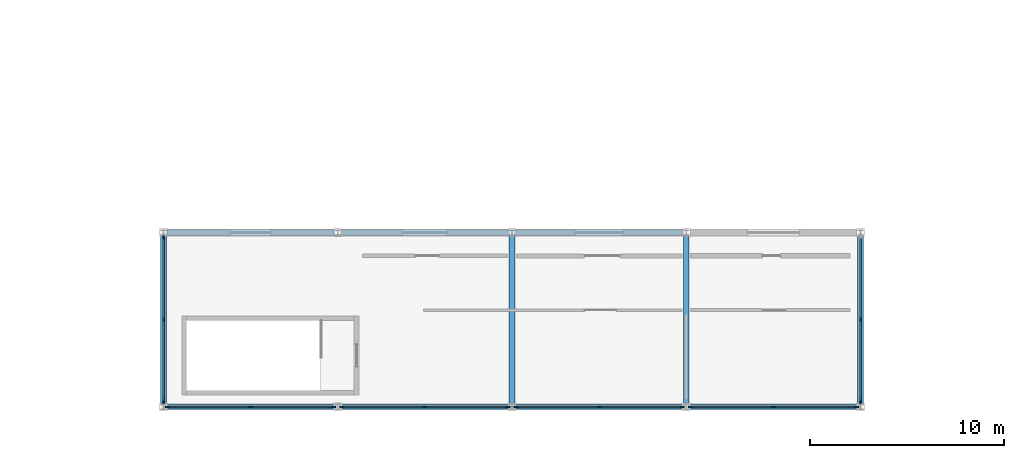
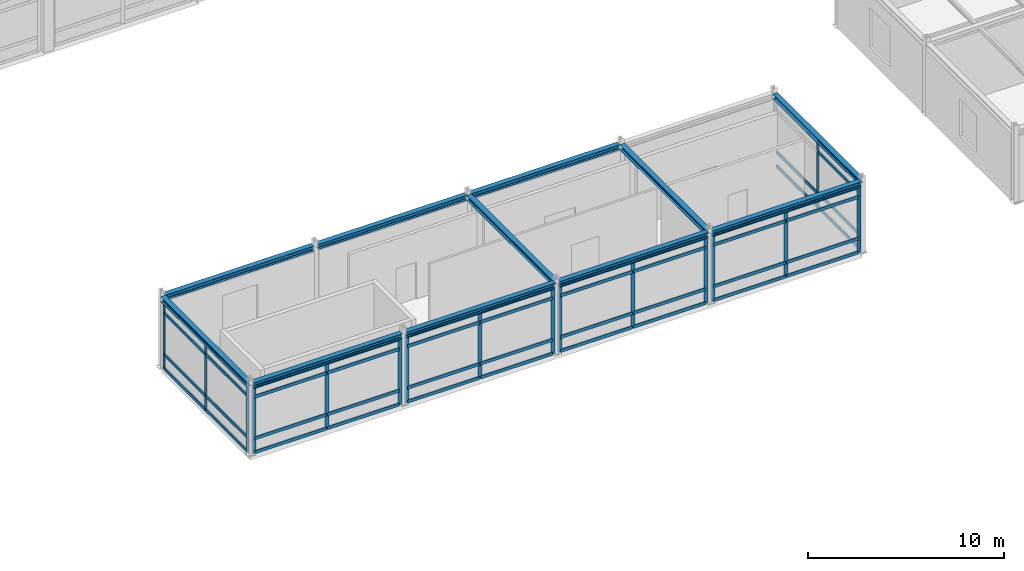
# One storey, part 16 of 61: 63 members, 11 beams, 6 elements without a shape of their own.
"""IFC4 building model written with IfcOpenShell, lengths in metres."""

from ifc_helpers import new_model, si_unit, direction, frame, origin, origin_2d, place, context, subcontext, project, spatial, rectangle, i_section, extrude, material, material_profile, profile_set, type_object, element, aggregate, save


model = new_model("IFC4")

# Units and contexts
model_context = context("Model", 3, precision=1e-05, world=origin(), true_north=direction((0.0, 1.0)))
body_context = subcontext(model_context, "Body", "Model", "MODEL_VIEW")
ifc_project = project(units=[si_unit("LENGTHUNIT", "METRE"), si_unit("AREAUNIT", "SQUARE_METRE"), si_unit("VOLUMEUNIT", "CUBIC_METRE"), si_unit("PLANEANGLEUNIT", "RADIAN"), si_unit("MASSUNIT", "GRAM", prefix="KILO")], contexts=[model_context])

# Site, building, storey
site_placement = place(None, origin())
site = spatial("IfcSite", under=ifc_project, at=site_placement, CompositionType="ELEMENT")
building_placement = place(site_placement, origin())
building = spatial("IfcBuilding", under=site, at=building_placement, Name="Bozkorgan Art Gallery", CompositionType="ELEMENT")
storey_placement = place(building_placement, frame((0.0, 0.0, 10.199951171875)))
storey = spatial("IfcBuildingStorey", under=building, at=storey_placement, Name="L02", CompositionType="ELEMENT", Elevation=10.199951171875)

# Beams
ifc_material_1 = material(Name="Steel S355J2", Category="steel")
ifc_material_profile_1 = material_profile(ifc_material_1, i_section(OverallWidth=0.300048828125, OverallDepth=0.31005859375, WebThickness=0.009033203125, FlangeThickness=0.015380859375, FilletRadius=0.027099609375, at=origin_2d()), Name="HEA 320")
ifc_profile_set_1 = profile_set([ifc_material_profile_1], Name="Steel S355J2")
beam_type = type_object("IfcBeamType", Name="BEAM-BM-36", PredefinedType="BEAM", material=ifc_profile_set_1)
for number, where, z_axis, x_axis, name in (
    (1, (83.1298828125, 2.0, 4.324951171875), (1.0, 0.0, 0.0), (0.0, 1.0, 0.0), "V3 L02 beam X (83-92, 2.0)"),
    (2, (92.1298828125, 2.0, 4.324951171875), (1.0, 0.0, 0.0), (0.0, 1.0, 0.0), "V3 L02 beam X (92-101, 2.0)"),
    (3, (101.1298828125, 2.0, 4.324951171875), (1.0, 0.0, 0.0), (0.0, 1.0, 0.0), "V3 L02 beam X (101-110, 2.0)"),
    (4, (110.1298828125, 2.0, 4.324951171875), (1.0, 0.0, 0.0), (0.0, 1.0, 0.0), "V3 L02 beam X (110-119, 2.0)"),
    (5, (83.1298828125, 11.0, 4.324951171875), (1.0, 0.0, 0.0), (0.0, 1.0, 0.0), "V3 L02 beam X (83-92, 11.0)"),
    (6, (92.1298828125, 11.0, 4.324951171875), (1.0, 0.0, 0.0), (0.0, 1.0, 0.0), "V3 L02 beam X (92-101, 11.0)"),
    (7, (101.1298828125, 11.0, 4.324951171875), (1.0, 0.0, 0.0), (0.0, 1.0, 0.0), "V3 L02 beam X (101-110, 11.0)"),
    (8, (83.0, 2.1298828125, 4.324951171875), (0.0, 1.0, 0.0), (-1.0, 0.0, 0.0), "V3 L02 beam Y (83, 2.0-11.0)"),
    (9, (101.0, 2.1298828125, 4.324951171875), (0.0, 1.0, 0.0), (-1.0, 0.0, 0.0), "V3 L02 beam Y (101, 2.0-11.0)"),
    (10, (110.0, 2.1298828125, 4.324951171875), (0.0, 1.0, 0.0), (-1.0, 0.0, 0.0), "V3 L02 beam Y (110, 2.0-11.0)"),
    (11, (119.0, 2.1298828125, 4.324951171875), (0.0, 1.0, 0.0), (-1.0, 0.0, 0.0), "V3 L02 beam Y (119, 2.0-11.0)"),
):
    element("IfcBeam", number, at=place(storey_placement, frame(where, z_axis=z_axis, x_axis=x_axis)), inside=storey, type_object=beam_type, Name=name, PredefinedType="BEAM", context=body_context, shape_type="SweptSolid", body=[
        extrude(i_section(OverallWidth=0.300048828125, OverallDepth=0.31005859375, WebThickness=0.009033203125, FlangeThickness=0.015380859375, FilletRadius=0.027099609375, at=origin_2d()), origin(), (0.0, 0.0, 1.0), 8.740234375),
    ])

# Curtain wall, members
ifc_material_2 = material(Name="Anodised Bronze Aluminium", Category="aluminium")
curtain_wall_type_1 = type_object("IfcCurtainWallType", Name="CW-CW-97", PredefinedType="NOTDEFINED", material=ifc_material_2)
curtain_wall_1_placement = place(storey_placement, origin())
curtain_wall_1 = element("IfcCurtainWall", 12, at=curtain_wall_1_placement, inside=storey, type_object=curtain_wall_type_1, Name="L02 unitised curtain wall CW-V3-L02-1S-01", PredefinedType="NOTDEFINED")
ifc_material_profile_2 = material_profile(ifc_material_2, rectangle(XDim=0.074951171875, YDim=0.219970703125, at=origin_2d()), Name="ALU MULLION 75x220")
ifc_profile_set_2 = profile_set([ifc_material_profile_2], Name="Anodised Bronze Aluminium")
member_type_1 = type_object("IfcMemberType", Name="CWM-02", PredefinedType="MULLION", material=ifc_profile_set_2)
member_1_placement = place(storey_placement, frame((83.202392578125, 2.0, 0.02001953125), z_axis=(0.0, 0.0, 1.0), x_axis=(0.0, 1.0, 0.0)))
member_1 = element("IfcMember", 13, at=member_1_placement, type_object=member_type_1, Name="CW-97 mullion 1", PredefinedType="MULLION", context=body_context, shape_type="SweptSolid", body=[
    extrude(rectangle(XDim=0.074951171875, YDim=0.219970703125, at=origin_2d()), origin(), (0.0, 0.0, 1.0), 4.135009765625),
])
member_2_placement = place(storey_placement, frame((87.5, 2.0, 0.02001953125), z_axis=(0.0, 0.0, 1.0), x_axis=(0.0, 1.0, 0.0)))
member_2 = element("IfcMember", 14, at=member_2_placement, type_object=member_type_1, Name="CW-97 mullion 2", PredefinedType="MULLION", context=body_context, shape_type="SweptSolid", body=[
    extrude(rectangle(XDim=0.074951171875, YDim=0.219970703125, at=origin_2d()), origin(), (0.0, 0.0, 1.0), 4.135009765625),
])
member_3_placement = place(storey_placement, frame((91.797607421875, 2.0, 0.02001953125), z_axis=(0.0, 0.0, 1.0), x_axis=(0.0, 1.0, 0.0)))
member_3 = element("IfcMember", 15, at=member_3_placement, type_object=member_type_1, Name="CW-97 mullion 3", PredefinedType="MULLION", context=body_context, shape_type="SweptSolid", body=[
    extrude(rectangle(XDim=0.074951171875, YDim=0.219970703125, at=origin_2d()), origin(), (0.0, 0.0, 1.0), 4.135009765625),
])

curtain_wall_2_placement = place(storey_placement, origin())
curtain_wall_2 = element("IfcCurtainWall", 16, at=curtain_wall_2_placement, inside=storey, type_object=curtain_wall_type_1, Name="L02 unitised curtain wall CW-V3-L02-1S-03", PredefinedType="NOTDEFINED")
member_4_placement = place(storey_placement, frame((92.202392578125, 2.0, 0.02001953125), z_axis=(0.0, 0.0, 1.0), x_axis=(0.0, 1.0, 0.0)))
member_4 = element("IfcMember", 17, at=member_4_placement, type_object=member_type_1, Name="CW-97 mullion 1", PredefinedType="MULLION", context=body_context, shape_type="SweptSolid", body=[
    extrude(rectangle(XDim=0.074951171875, YDim=0.219970703125, at=origin_2d()), origin(), (0.0, 0.0, 1.0), 4.135009765625),
])
member_5_placement = place(storey_placement, frame((96.5, 2.0, 0.02001953125), z_axis=(0.0, 0.0, 1.0), x_axis=(0.0, 1.0, 0.0)))
member_5 = element("IfcMember", 18, at=member_5_placement, type_object=member_type_1, Name="CW-97 mullion 2", PredefinedType="MULLION", context=body_context, shape_type="SweptSolid", body=[
    extrude(rectangle(XDim=0.074951171875, YDim=0.219970703125, at=origin_2d()), origin(), (0.0, 0.0, 1.0), 4.135009765625),
])
member_6_placement = place(storey_placement, frame((100.797607421875, 2.0, 0.02001953125), z_axis=(0.0, 0.0, 1.0), x_axis=(0.0, 1.0, 0.0)))
member_6 = element("IfcMember", 19, at=member_6_placement, type_object=member_type_1, Name="CW-97 mullion 3", PredefinedType="MULLION", context=body_context, shape_type="SweptSolid", body=[
    extrude(rectangle(XDim=0.074951171875, YDim=0.219970703125, at=origin_2d()), origin(), (0.0, 0.0, 1.0), 4.135009765625),
])

curtain_wall_3_placement = place(storey_placement, origin())
curtain_wall_3 = element("IfcCurtainWall", 20, at=curtain_wall_3_placement, inside=storey, type_object=curtain_wall_type_1, Name="L02 unitised curtain wall CW-V3-L02-1S-05", PredefinedType="NOTDEFINED")
member_7_placement = place(storey_placement, frame((101.202392578125, 2.0, 0.02001953125), z_axis=(0.0, 0.0, 1.0), x_axis=(0.0, 1.0, 0.0)))
member_7 = element("IfcMember", 21, at=member_7_placement, type_object=member_type_1, Name="CW-97 mullion 1", PredefinedType="MULLION", context=body_context, shape_type="SweptSolid", body=[
    extrude(rectangle(XDim=0.074951171875, YDim=0.219970703125, at=origin_2d()), origin(), (0.0, 0.0, 1.0), 4.135009765625),
])
member_8_placement = place(storey_placement, frame((105.5, 2.0, 0.02001953125), z_axis=(0.0, 0.0, 1.0), x_axis=(0.0, 1.0, 0.0)))
member_8 = element("IfcMember", 22, at=member_8_placement, type_object=member_type_1, Name="CW-97 mullion 2", PredefinedType="MULLION", context=body_context, shape_type="SweptSolid", body=[
    extrude(rectangle(XDim=0.074951171875, YDim=0.219970703125, at=origin_2d()), origin(), (0.0, 0.0, 1.0), 4.135009765625),
])
member_9_placement = place(storey_placement, frame((109.797607421875, 2.0, 0.02001953125), z_axis=(0.0, 0.0, 1.0), x_axis=(0.0, 1.0, 0.0)))
member_9 = element("IfcMember", 23, at=member_9_placement, type_object=member_type_1, Name="CW-97 mullion 3", PredefinedType="MULLION", context=body_context, shape_type="SweptSolid", body=[
    extrude(rectangle(XDim=0.074951171875, YDim=0.219970703125, at=origin_2d()), origin(), (0.0, 0.0, 1.0), 4.135009765625),
])

curtain_wall_4_placement = place(storey_placement, origin())
curtain_wall_4 = element("IfcCurtainWall", 24, at=curtain_wall_4_placement, inside=storey, type_object=curtain_wall_type_1, Name="L02 unitised curtain wall CW-V3-L02-1S-07", PredefinedType="NOTDEFINED")
member_10_placement = place(storey_placement, frame((110.202392578125, 2.0, 0.02001953125), z_axis=(0.0, 0.0, 1.0), x_axis=(0.0, 1.0, 0.0)))
member_10 = element("IfcMember", 25, at=member_10_placement, type_object=member_type_1, Name="CW-97 mullion 1", PredefinedType="MULLION", context=body_context, shape_type="SweptSolid", body=[
    extrude(rectangle(XDim=0.074951171875, YDim=0.219970703125, at=origin_2d()), origin(), (0.0, 0.0, 1.0), 4.135009765625),
])
member_11_placement = place(storey_placement, frame((114.5, 2.0, 0.02001953125), z_axis=(0.0, 0.0, 1.0), x_axis=(0.0, 1.0, 0.0)))
member_11 = element("IfcMember", 26, at=member_11_placement, type_object=member_type_1, Name="CW-97 mullion 2", PredefinedType="MULLION", context=body_context, shape_type="SweptSolid", body=[
    extrude(rectangle(XDim=0.074951171875, YDim=0.219970703125, at=origin_2d()), origin(), (0.0, 0.0, 1.0), 4.135009765625),
])
member_12_placement = place(storey_placement, frame((118.797607421875, 2.0, 0.02001953125), z_axis=(0.0, 0.0, 1.0), x_axis=(0.0, 1.0, 0.0)))
member_12 = element("IfcMember", 27, at=member_12_placement, type_object=member_type_1, Name="CW-97 mullion 3", PredefinedType="MULLION", context=body_context, shape_type="SweptSolid", body=[
    extrude(rectangle(XDim=0.074951171875, YDim=0.219970703125, at=origin_2d()), origin(), (0.0, 0.0, 1.0), 4.135009765625),
])

curtain_wall_type_2 = type_object("IfcCurtainWallType", Name="CW-CW-46", PredefinedType="NOTDEFINED", material=ifc_material_2)
curtain_wall_5_placement = place(storey_placement, origin())
curtain_wall_5 = element("IfcCurtainWall", 28, at=curtain_wall_5_placement, inside=storey, type_object=curtain_wall_type_2, Name="L02 unitised curtain wall CW-V3-L02-1W-09", PredefinedType="NOTDEFINED")
member_13_placement = place(storey_placement, frame((83.0, 2.2724609375, 0.02001953125), z_axis=(0.0, 0.0, 1.0), x_axis=(-1.0, 0.0, 0.0)))
member_13 = element("IfcMember", 29, at=member_13_placement, type_object=member_type_1, Name="CW-46 mullion 1", PredefinedType="MULLION", context=body_context, shape_type="SweptSolid", body=[
    extrude(rectangle(XDim=0.074951171875, YDim=0.219970703125, at=origin_2d()), origin(), (0.0, 0.0, 1.0), 4.135009765625),
])
member_14_placement = place(storey_placement, frame((83.0, 6.5, 0.02001953125), z_axis=(0.0, 0.0, 1.0), x_axis=(-1.0, 0.0, 0.0)))
member_14 = element("IfcMember", 30, at=member_14_placement, type_object=member_type_1, Name="CW-46 mullion 2", PredefinedType="MULLION", context=body_context, shape_type="SweptSolid", body=[
    extrude(rectangle(XDim=0.074951171875, YDim=0.219970703125, at=origin_2d()), origin(), (0.0, 0.0, 1.0), 4.135009765625),
])
member_15_placement = place(storey_placement, frame((83.0, 10.7275390625, 0.02001953125), z_axis=(0.0, 0.0, 1.0), x_axis=(-1.0, 0.0, 0.0)))
member_15 = element("IfcMember", 31, at=member_15_placement, type_object=member_type_1, Name="CW-46 mullion 3", PredefinedType="MULLION", context=body_context, shape_type="SweptSolid", body=[
    extrude(rectangle(XDim=0.074951171875, YDim=0.219970703125, at=origin_2d()), origin(), (0.0, 0.0, 1.0), 4.135009765625),
])

curtain_wall_6_placement = place(storey_placement, origin())
curtain_wall_6 = element("IfcCurtainWall", 32, at=curtain_wall_6_placement, inside=storey, type_object=curtain_wall_type_2, Name="L02 unitised curtain wall CW-V3-L02-1E-10", PredefinedType="NOTDEFINED")
member_16_placement = place(storey_placement, frame((119.0, 2.2724609375, 0.02001953125), z_axis=(0.0, 0.0, 1.0), x_axis=(-1.0, 0.0, 0.0)))
member_16 = element("IfcMember", 33, at=member_16_placement, type_object=member_type_1, Name="CW-46 mullion 1", PredefinedType="MULLION", context=body_context, shape_type="SweptSolid", body=[
    extrude(rectangle(XDim=0.074951171875, YDim=0.219970703125, at=origin_2d()), origin(), (0.0, 0.0, 1.0), 4.135009765625),
])
member_17_placement = place(storey_placement, frame((119.0, 6.5, 0.02001953125), z_axis=(0.0, 0.0, 1.0), x_axis=(-1.0, 0.0, 0.0)))
member_17 = element("IfcMember", 34, at=member_17_placement, type_object=member_type_1, Name="CW-46 mullion 2", PredefinedType="MULLION", context=body_context, shape_type="SweptSolid", body=[
    extrude(rectangle(XDim=0.074951171875, YDim=0.219970703125, at=origin_2d()), origin(), (0.0, 0.0, 1.0), 4.135009765625),
])

# Member
ifc_material_profile_3 = material_profile(ifc_material_2, rectangle(XDim=0.080078125, YDim=0.199951171875, at=origin_2d()), Name="ALU TRANSOM 80x200")
ifc_profile_set_3 = profile_set([ifc_material_profile_3], Name="Anodised Bronze Aluminium")
member_type_2 = type_object("IfcMemberType", Name="CWT-03", PredefinedType="USERDEFINED", material=ifc_profile_set_3)
member_18_placement = place(storey_placement, frame((83.239990234375, 2.0, 0.06005859375), z_axis=(1.0, 0.0, 0.0), x_axis=(0.0, 1.0, 0.0)))
member_18 = element("IfcMember", 35, at=member_18_placement, type_object=member_type_2, Name="CW-97 transom 1.1", ObjectType="TRANSOM", PredefinedType="USERDEFINED", context=body_context, shape_type="SweptSolid", body=[
    extrude(rectangle(XDim=0.080078125, YDim=0.199951171875, at=origin_2d()), origin(), (0.0, 0.0, 1.0), 4.222412109375),
])

member_19_placement = place(storey_placement, frame((83.239990234375, 2.0, 0.920166015625), z_axis=(1.0, 0.0, 0.0), x_axis=(0.0, 1.0, 0.0)))
member_19 = element("IfcMember", 36, at=member_19_placement, type_object=member_type_2, Name="CW-97 transom 1.2", ObjectType="TRANSOM", PredefinedType="USERDEFINED", context=body_context, shape_type="SweptSolid", body=[
    extrude(rectangle(XDim=0.080078125, YDim=0.199951171875, at=origin_2d()), origin(), (0.0, 0.0, 1.0), 4.222412109375),
])

member_20_placement = place(storey_placement, frame((83.239990234375, 2.0, 3.505126953125), z_axis=(1.0, 0.0, 0.0), x_axis=(0.0, 1.0, 0.0)))
member_20 = element("IfcMember", 37, at=member_20_placement, type_object=member_type_2, Name="CW-97 transom 1.3", ObjectType="TRANSOM", PredefinedType="USERDEFINED", context=body_context, shape_type="SweptSolid", body=[
    extrude(rectangle(XDim=0.080078125, YDim=0.199951171875, at=origin_2d()), origin(), (0.0, 0.0, 1.0), 4.222412109375),
])

member_21_placement = place(storey_placement, frame((83.239990234375, 2.0, 4.114990234375), z_axis=(1.0, 0.0, 0.0), x_axis=(0.0, 1.0, 0.0)))
member_21 = element("IfcMember", 38, at=member_21_placement, type_object=member_type_2, Name="CW-97 transom 1.4", ObjectType="TRANSOM", PredefinedType="USERDEFINED", context=body_context, shape_type="SweptSolid", body=[
    extrude(rectangle(XDim=0.080078125, YDim=0.199951171875, at=origin_2d()), origin(), (0.0, 0.0, 1.0), 4.222412109375),
])

member_22_placement = place(storey_placement, frame((87.53759765625, 2.0, 0.06005859375), z_axis=(1.0, 0.0, 0.0), x_axis=(0.0, 1.0, 0.0)))
member_22 = element("IfcMember", 39, at=member_22_placement, type_object=member_type_2, Name="CW-97 transom 2.1", ObjectType="TRANSOM", PredefinedType="USERDEFINED", context=body_context, shape_type="SweptSolid", body=[
    extrude(rectangle(XDim=0.080078125, YDim=0.199951171875, at=origin_2d()), origin(), (0.0, 0.0, 1.0), 4.222412109375),
])

member_23_placement = place(storey_placement, frame((87.53759765625, 2.0, 0.920166015625), z_axis=(1.0, 0.0, 0.0), x_axis=(0.0, 1.0, 0.0)))
member_23 = element("IfcMember", 40, at=member_23_placement, type_object=member_type_2, Name="CW-97 transom 2.2", ObjectType="TRANSOM", PredefinedType="USERDEFINED", context=body_context, shape_type="SweptSolid", body=[
    extrude(rectangle(XDim=0.080078125, YDim=0.199951171875, at=origin_2d()), origin(), (0.0, 0.0, 1.0), 4.222412109375),
])

member_24_placement = place(storey_placement, frame((87.53759765625, 2.0, 3.505126953125), z_axis=(1.0, 0.0, 0.0), x_axis=(0.0, 1.0, 0.0)))
member_24 = element("IfcMember", 41, at=member_24_placement, type_object=member_type_2, Name="CW-97 transom 2.3", ObjectType="TRANSOM", PredefinedType="USERDEFINED", context=body_context, shape_type="SweptSolid", body=[
    extrude(rectangle(XDim=0.080078125, YDim=0.199951171875, at=origin_2d()), origin(), (0.0, 0.0, 1.0), 4.222412109375),
])

member_25_placement = place(storey_placement, frame((87.53759765625, 2.0, 4.114990234375), z_axis=(1.0, 0.0, 0.0), x_axis=(0.0, 1.0, 0.0)))
member_25 = element("IfcMember", 42, at=member_25_placement, type_object=member_type_2, Name="CW-97 transom 2.4", ObjectType="TRANSOM", PredefinedType="USERDEFINED", context=body_context, shape_type="SweptSolid", body=[
    extrude(rectangle(XDim=0.080078125, YDim=0.199951171875, at=origin_2d()), origin(), (0.0, 0.0, 1.0), 4.222412109375),
])

aggregate(curtain_wall_1, [member_1, member_2, member_3, member_18, member_19, member_20, member_21, member_22, member_23, member_24, member_25])

member_26_placement = place(storey_placement, frame((92.239990234375, 2.0, 0.06005859375), z_axis=(1.0, 0.0, 0.0), x_axis=(0.0, 1.0, 0.0)))
member_26 = element("IfcMember", 43, at=member_26_placement, type_object=member_type_2, Name="CW-97 transom 1.1", ObjectType="TRANSOM", PredefinedType="USERDEFINED", context=body_context, shape_type="SweptSolid", body=[
    extrude(rectangle(XDim=0.080078125, YDim=0.199951171875, at=origin_2d()), origin(), (0.0, 0.0, 1.0), 4.222412109375),
])

member_27_placement = place(storey_placement, frame((92.239990234375, 2.0, 0.920166015625), z_axis=(1.0, 0.0, 0.0), x_axis=(0.0, 1.0, 0.0)))
member_27 = element("IfcMember", 44, at=member_27_placement, type_object=member_type_2, Name="CW-97 transom 1.2", ObjectType="TRANSOM", PredefinedType="USERDEFINED", context=body_context, shape_type="SweptSolid", body=[
    extrude(rectangle(XDim=0.080078125, YDim=0.199951171875, at=origin_2d()), origin(), (0.0, 0.0, 1.0), 4.222412109375),
])

member_28_placement = place(storey_placement, frame((92.239990234375, 2.0, 3.505126953125), z_axis=(1.0, 0.0, 0.0), x_axis=(0.0, 1.0, 0.0)))
member_28 = element("IfcMember", 45, at=member_28_placement, type_object=member_type_2, Name="CW-97 transom 1.3", ObjectType="TRANSOM", PredefinedType="USERDEFINED", context=body_context, shape_type="SweptSolid", body=[
    extrude(rectangle(XDim=0.080078125, YDim=0.199951171875, at=origin_2d()), origin(), (0.0, 0.0, 1.0), 4.222412109375),
])

member_29_placement = place(storey_placement, frame((92.239990234375, 2.0, 4.114990234375), z_axis=(1.0, 0.0, 0.0), x_axis=(0.0, 1.0, 0.0)))
member_29 = element("IfcMember", 46, at=member_29_placement, type_object=member_type_2, Name="CW-97 transom 1.4", ObjectType="TRANSOM", PredefinedType="USERDEFINED", context=body_context, shape_type="SweptSolid", body=[
    extrude(rectangle(XDim=0.080078125, YDim=0.199951171875, at=origin_2d()), origin(), (0.0, 0.0, 1.0), 4.222412109375),
])

member_30_placement = place(storey_placement, frame((96.53759765625, 2.0, 0.06005859375), z_axis=(1.0, 0.0, 0.0), x_axis=(0.0, 1.0, 0.0)))
member_30 = element("IfcMember", 47, at=member_30_placement, type_object=member_type_2, Name="CW-97 transom 2.1", ObjectType="TRANSOM", PredefinedType="USERDEFINED", context=body_context, shape_type="SweptSolid", body=[
    extrude(rectangle(XDim=0.080078125, YDim=0.199951171875, at=origin_2d()), origin(), (0.0, 0.0, 1.0), 4.222412109375),
])

member_31_placement = place(storey_placement, frame((96.53759765625, 2.0, 0.920166015625), z_axis=(1.0, 0.0, 0.0), x_axis=(0.0, 1.0, 0.0)))
member_31 = element("IfcMember", 48, at=member_31_placement, type_object=member_type_2, Name="CW-97 transom 2.2", ObjectType="TRANSOM", PredefinedType="USERDEFINED", context=body_context, shape_type="SweptSolid", body=[
    extrude(rectangle(XDim=0.080078125, YDim=0.199951171875, at=origin_2d()), origin(), (0.0, 0.0, 1.0), 4.222412109375),
])

member_32_placement = place(storey_placement, frame((96.53759765625, 2.0, 3.505126953125), z_axis=(1.0, 0.0, 0.0), x_axis=(0.0, 1.0, 0.0)))
member_32 = element("IfcMember", 49, at=member_32_placement, type_object=member_type_2, Name="CW-97 transom 2.3", ObjectType="TRANSOM", PredefinedType="USERDEFINED", context=body_context, shape_type="SweptSolid", body=[
    extrude(rectangle(XDim=0.080078125, YDim=0.199951171875, at=origin_2d()), origin(), (0.0, 0.0, 1.0), 4.222412109375),
])

member_33_placement = place(storey_placement, frame((96.53759765625, 2.0, 4.114990234375), z_axis=(1.0, 0.0, 0.0), x_axis=(0.0, 1.0, 0.0)))
member_33 = element("IfcMember", 50, at=member_33_placement, type_object=member_type_2, Name="CW-97 transom 2.4", ObjectType="TRANSOM", PredefinedType="USERDEFINED", context=body_context, shape_type="SweptSolid", body=[
    extrude(rectangle(XDim=0.080078125, YDim=0.199951171875, at=origin_2d()), origin(), (0.0, 0.0, 1.0), 4.222412109375),
])

aggregate(curtain_wall_2, [member_4, member_5, member_6, member_26, member_27, member_28, member_29, member_30, member_31, member_32, member_33])

member_34_placement = place(storey_placement, frame((101.239990234375, 2.0, 0.06005859375), z_axis=(1.0, 0.0, 0.0), x_axis=(0.0, 1.0, 0.0)))
member_34 = element("IfcMember", 51, at=member_34_placement, type_object=member_type_2, Name="CW-97 transom 1.1", ObjectType="TRANSOM", PredefinedType="USERDEFINED", context=body_context, shape_type="SweptSolid", body=[
    extrude(rectangle(XDim=0.080078125, YDim=0.199951171875, at=origin_2d()), origin(), (0.0, 0.0, 1.0), 4.222412109375),
])

member_35_placement = place(storey_placement, frame((101.239990234375, 2.0, 0.920166015625), z_axis=(1.0, 0.0, 0.0), x_axis=(0.0, 1.0, 0.0)))
member_35 = element("IfcMember", 52, at=member_35_placement, type_object=member_type_2, Name="CW-97 transom 1.2", ObjectType="TRANSOM", PredefinedType="USERDEFINED", context=body_context, shape_type="SweptSolid", body=[
    extrude(rectangle(XDim=0.080078125, YDim=0.199951171875, at=origin_2d()), origin(), (0.0, 0.0, 1.0), 4.222412109375),
])

member_36_placement = place(storey_placement, frame((101.239990234375, 2.0, 3.505126953125), z_axis=(1.0, 0.0, 0.0), x_axis=(0.0, 1.0, 0.0)))
member_36 = element("IfcMember", 53, at=member_36_placement, type_object=member_type_2, Name="CW-97 transom 1.3", ObjectType="TRANSOM", PredefinedType="USERDEFINED", context=body_context, shape_type="SweptSolid", body=[
    extrude(rectangle(XDim=0.080078125, YDim=0.199951171875, at=origin_2d()), origin(), (0.0, 0.0, 1.0), 4.222412109375),
])

member_37_placement = place(storey_placement, frame((101.239990234375, 2.0, 4.114990234375), z_axis=(1.0, 0.0, 0.0), x_axis=(0.0, 1.0, 0.0)))
member_37 = element("IfcMember", 54, at=member_37_placement, type_object=member_type_2, Name="CW-97 transom 1.4", ObjectType="TRANSOM", PredefinedType="USERDEFINED", context=body_context, shape_type="SweptSolid", body=[
    extrude(rectangle(XDim=0.080078125, YDim=0.199951171875, at=origin_2d()), origin(), (0.0, 0.0, 1.0), 4.222412109375),
])

member_38_placement = place(storey_placement, frame((105.53759765625, 2.0, 0.06005859375), z_axis=(1.0, 0.0, 0.0), x_axis=(0.0, 1.0, 0.0)))
member_38 = element("IfcMember", 55, at=member_38_placement, type_object=member_type_2, Name="CW-97 transom 2.1", ObjectType="TRANSOM", PredefinedType="USERDEFINED", context=body_context, shape_type="SweptSolid", body=[
    extrude(rectangle(XDim=0.080078125, YDim=0.199951171875, at=origin_2d()), origin(), (0.0, 0.0, 1.0), 4.222412109375),
])

member_39_placement = place(storey_placement, frame((105.53759765625, 2.0, 0.920166015625), z_axis=(1.0, 0.0, 0.0), x_axis=(0.0, 1.0, 0.0)))
member_39 = element("IfcMember", 56, at=member_39_placement, type_object=member_type_2, Name="CW-97 transom 2.2", ObjectType="TRANSOM", PredefinedType="USERDEFINED", context=body_context, shape_type="SweptSolid", body=[
    extrude(rectangle(XDim=0.080078125, YDim=0.199951171875, at=origin_2d()), origin(), (0.0, 0.0, 1.0), 4.222412109375),
])

member_40_placement = place(storey_placement, frame((105.53759765625, 2.0, 3.505126953125), z_axis=(1.0, 0.0, 0.0), x_axis=(0.0, 1.0, 0.0)))
member_40 = element("IfcMember", 57, at=member_40_placement, type_object=member_type_2, Name="CW-97 transom 2.3", ObjectType="TRANSOM", PredefinedType="USERDEFINED", context=body_context, shape_type="SweptSolid", body=[
    extrude(rectangle(XDim=0.080078125, YDim=0.199951171875, at=origin_2d()), origin(), (0.0, 0.0, 1.0), 4.222412109375),
])

member_41_placement = place(storey_placement, frame((105.53759765625, 2.0, 4.114990234375), z_axis=(1.0, 0.0, 0.0), x_axis=(0.0, 1.0, 0.0)))
member_41 = element("IfcMember", 58, at=member_41_placement, type_object=member_type_2, Name="CW-97 transom 2.4", ObjectType="TRANSOM", PredefinedType="USERDEFINED", context=body_context, shape_type="SweptSolid", body=[
    extrude(rectangle(XDim=0.080078125, YDim=0.199951171875, at=origin_2d()), origin(), (0.0, 0.0, 1.0), 4.222412109375),
])

aggregate(curtain_wall_3, [member_7, member_8, member_9, member_34, member_35, member_36, member_37, member_38, member_39, member_40, member_41])

member_42_placement = place(storey_placement, frame((110.239990234375, 2.0, 0.06005859375), z_axis=(1.0, 0.0, 0.0), x_axis=(0.0, 1.0, 0.0)))
member_42 = element("IfcMember", 59, at=member_42_placement, type_object=member_type_2, Name="CW-97 transom 1.1", ObjectType="TRANSOM", PredefinedType="USERDEFINED", context=body_context, shape_type="SweptSolid", body=[
    extrude(rectangle(XDim=0.080078125, YDim=0.199951171875, at=origin_2d()), origin(), (0.0, 0.0, 1.0), 4.222412109375),
])

member_43_placement = place(storey_placement, frame((110.239990234375, 2.0, 0.920166015625), z_axis=(1.0, 0.0, 0.0), x_axis=(0.0, 1.0, 0.0)))
member_43 = element("IfcMember", 60, at=member_43_placement, type_object=member_type_2, Name="CW-97 transom 1.2", ObjectType="TRANSOM", PredefinedType="USERDEFINED", context=body_context, shape_type="SweptSolid", body=[
    extrude(rectangle(XDim=0.080078125, YDim=0.199951171875, at=origin_2d()), origin(), (0.0, 0.0, 1.0), 4.222412109375),
])

member_44_placement = place(storey_placement, frame((110.239990234375, 2.0, 3.505126953125), z_axis=(1.0, 0.0, 0.0), x_axis=(0.0, 1.0, 0.0)))
member_44 = element("IfcMember", 61, at=member_44_placement, type_object=member_type_2, Name="CW-97 transom 1.3", ObjectType="TRANSOM", PredefinedType="USERDEFINED", context=body_context, shape_type="SweptSolid", body=[
    extrude(rectangle(XDim=0.080078125, YDim=0.199951171875, at=origin_2d()), origin(), (0.0, 0.0, 1.0), 4.222412109375),
])

member_45_placement = place(storey_placement, frame((110.239990234375, 2.0, 4.114990234375), z_axis=(1.0, 0.0, 0.0), x_axis=(0.0, 1.0, 0.0)))
member_45 = element("IfcMember", 62, at=member_45_placement, type_object=member_type_2, Name="CW-97 transom 1.4", ObjectType="TRANSOM", PredefinedType="USERDEFINED", context=body_context, shape_type="SweptSolid", body=[
    extrude(rectangle(XDim=0.080078125, YDim=0.199951171875, at=origin_2d()), origin(), (0.0, 0.0, 1.0), 4.222412109375),
])

member_46_placement = place(storey_placement, frame((114.53759765625, 2.0, 0.06005859375), z_axis=(1.0, 0.0, 0.0), x_axis=(0.0, 1.0, 0.0)))
member_46 = element("IfcMember", 63, at=member_46_placement, type_object=member_type_2, Name="CW-97 transom 2.1", ObjectType="TRANSOM", PredefinedType="USERDEFINED", context=body_context, shape_type="SweptSolid", body=[
    extrude(rectangle(XDim=0.080078125, YDim=0.199951171875, at=origin_2d()), origin(), (0.0, 0.0, 1.0), 4.222412109375),
])

member_47_placement = place(storey_placement, frame((114.53759765625, 2.0, 0.920166015625), z_axis=(1.0, 0.0, 0.0), x_axis=(0.0, 1.0, 0.0)))
member_47 = element("IfcMember", 64, at=member_47_placement, type_object=member_type_2, Name="CW-97 transom 2.2", ObjectType="TRANSOM", PredefinedType="USERDEFINED", context=body_context, shape_type="SweptSolid", body=[
    extrude(rectangle(XDim=0.080078125, YDim=0.199951171875, at=origin_2d()), origin(), (0.0, 0.0, 1.0), 4.222412109375),
])

member_48_placement = place(storey_placement, frame((114.53759765625, 2.0, 3.505126953125), z_axis=(1.0, 0.0, 0.0), x_axis=(0.0, 1.0, 0.0)))
member_48 = element("IfcMember", 65, at=member_48_placement, type_object=member_type_2, Name="CW-97 transom 2.3", ObjectType="TRANSOM", PredefinedType="USERDEFINED", context=body_context, shape_type="SweptSolid", body=[
    extrude(rectangle(XDim=0.080078125, YDim=0.199951171875, at=origin_2d()), origin(), (0.0, 0.0, 1.0), 4.222412109375),
])

member_49_placement = place(storey_placement, frame((114.53759765625, 2.0, 4.114990234375), z_axis=(1.0, 0.0, 0.0), x_axis=(0.0, 1.0, 0.0)))
member_49 = element("IfcMember", 66, at=member_49_placement, type_object=member_type_2, Name="CW-97 transom 2.4", ObjectType="TRANSOM", PredefinedType="USERDEFINED", context=body_context, shape_type="SweptSolid", body=[
    extrude(rectangle(XDim=0.080078125, YDim=0.199951171875, at=origin_2d()), origin(), (0.0, 0.0, 1.0), 4.222412109375),
])

aggregate(curtain_wall_4, [member_10, member_11, member_12, member_42, member_43, member_44, member_45, member_46, member_47, member_48, member_49])

member_50_placement = place(storey_placement, frame((83.0, 2.31005859375, 0.06005859375), z_axis=(0.0, 1.0, 0.0), x_axis=(-1.0, 0.0, 0.0)))
member_50 = element("IfcMember", 67, at=member_50_placement, type_object=member_type_2, Name="CW-46 transom 1.1", ObjectType="TRANSOM", PredefinedType="USERDEFINED", context=body_context, shape_type="SweptSolid", body=[
    extrude(rectangle(XDim=0.080078125, YDim=0.199951171875, at=origin_2d()), origin(), (0.0, 0.0, 1.0), 4.15234375),
])

member_51_placement = place(storey_placement, frame((83.0, 2.31005859375, 0.920166015625), z_axis=(0.0, 1.0, 0.0), x_axis=(-1.0, 0.0, 0.0)))
member_51 = element("IfcMember", 68, at=member_51_placement, type_object=member_type_2, Name="CW-46 transom 1.2", ObjectType="TRANSOM", PredefinedType="USERDEFINED", context=body_context, shape_type="SweptSolid", body=[
    extrude(rectangle(XDim=0.080078125, YDim=0.199951171875, at=origin_2d()), origin(), (0.0, 0.0, 1.0), 4.15234375),
])

member_52_placement = place(storey_placement, frame((83.0, 2.31005859375, 3.505126953125), z_axis=(0.0, 1.0, 0.0), x_axis=(-1.0, 0.0, 0.0)))
member_52 = element("IfcMember", 69, at=member_52_placement, type_object=member_type_2, Name="CW-46 transom 1.3", ObjectType="TRANSOM", PredefinedType="USERDEFINED", context=body_context, shape_type="SweptSolid", body=[
    extrude(rectangle(XDim=0.080078125, YDim=0.199951171875, at=origin_2d()), origin(), (0.0, 0.0, 1.0), 4.15234375),
])

member_53_placement = place(storey_placement, frame((83.0, 2.31005859375, 4.114990234375), z_axis=(0.0, 1.0, 0.0), x_axis=(-1.0, 0.0, 0.0)))
member_53 = element("IfcMember", 70, at=member_53_placement, type_object=member_type_2, Name="CW-46 transom 1.4", ObjectType="TRANSOM", PredefinedType="USERDEFINED", context=body_context, shape_type="SweptSolid", body=[
    extrude(rectangle(XDim=0.080078125, YDim=0.199951171875, at=origin_2d()), origin(), (0.0, 0.0, 1.0), 4.15234375),
])

member_54_placement = place(storey_placement, frame((83.0, 6.53759765625, 0.06005859375), z_axis=(0.0, 1.0, 0.0), x_axis=(-1.0, 0.0, 0.0)))
member_54 = element("IfcMember", 71, at=member_54_placement, type_object=member_type_2, Name="CW-46 transom 2.1", ObjectType="TRANSOM", PredefinedType="USERDEFINED", context=body_context, shape_type="SweptSolid", body=[
    extrude(rectangle(XDim=0.080078125, YDim=0.199951171875, at=origin_2d()), origin(), (0.0, 0.0, 1.0), 4.15234375),
])

member_55_placement = place(storey_placement, frame((83.0, 6.53759765625, 0.920166015625), z_axis=(0.0, 1.0, 0.0), x_axis=(-1.0, 0.0, 0.0)))
member_55 = element("IfcMember", 72, at=member_55_placement, type_object=member_type_2, Name="CW-46 transom 2.2", ObjectType="TRANSOM", PredefinedType="USERDEFINED", context=body_context, shape_type="SweptSolid", body=[
    extrude(rectangle(XDim=0.080078125, YDim=0.199951171875, at=origin_2d()), origin(), (0.0, 0.0, 1.0), 4.15234375),
])

member_56_placement = place(storey_placement, frame((83.0, 6.53759765625, 3.505126953125), z_axis=(0.0, 1.0, 0.0), x_axis=(-1.0, 0.0, 0.0)))
member_56 = element("IfcMember", 73, at=member_56_placement, type_object=member_type_2, Name="CW-46 transom 2.3", ObjectType="TRANSOM", PredefinedType="USERDEFINED", context=body_context, shape_type="SweptSolid", body=[
    extrude(rectangle(XDim=0.080078125, YDim=0.199951171875, at=origin_2d()), origin(), (0.0, 0.0, 1.0), 4.15234375),
])

member_57_placement = place(storey_placement, frame((83.0, 6.53759765625, 4.114990234375), z_axis=(0.0, 1.0, 0.0), x_axis=(-1.0, 0.0, 0.0)))
member_57 = element("IfcMember", 74, at=member_57_placement, type_object=member_type_2, Name="CW-46 transom 2.4", ObjectType="TRANSOM", PredefinedType="USERDEFINED", context=body_context, shape_type="SweptSolid", body=[
    extrude(rectangle(XDim=0.080078125, YDim=0.199951171875, at=origin_2d()), origin(), (0.0, 0.0, 1.0), 4.15234375),
])

aggregate(curtain_wall_5, [member_13, member_14, member_15, member_50, member_51, member_52, member_53, member_54, member_55, member_56, member_57])

member_58_placement = place(storey_placement, frame((119.0, 2.31005859375, 0.06005859375), z_axis=(0.0, 1.0, 0.0), x_axis=(-1.0, 0.0, 0.0)))
member_58 = element("IfcMember", 75, at=member_58_placement, type_object=member_type_2, Name="CW-46 transom 1.1", ObjectType="TRANSOM", PredefinedType="USERDEFINED", context=body_context, shape_type="SweptSolid", body=[
    extrude(rectangle(XDim=0.080078125, YDim=0.199951171875, at=origin_2d()), origin(), (0.0, 0.0, 1.0), 4.15234375),
])

member_59_placement = place(storey_placement, frame((119.0, 2.31005859375, 0.920166015625), z_axis=(0.0, 1.0, 0.0), x_axis=(-1.0, 0.0, 0.0)))
member_59 = element("IfcMember", 76, at=member_59_placement, type_object=member_type_2, Name="CW-46 transom 1.2", ObjectType="TRANSOM", PredefinedType="USERDEFINED", context=body_context, shape_type="SweptSolid", body=[
    extrude(rectangle(XDim=0.080078125, YDim=0.199951171875, at=origin_2d()), origin(), (0.0, 0.0, 1.0), 4.15234375),
])

member_60_placement = place(storey_placement, frame((119.0, 2.31005859375, 3.505126953125), z_axis=(0.0, 1.0, 0.0), x_axis=(-1.0, 0.0, 0.0)))
member_60 = element("IfcMember", 77, at=member_60_placement, type_object=member_type_2, Name="CW-46 transom 1.3", ObjectType="TRANSOM", PredefinedType="USERDEFINED", context=body_context, shape_type="SweptSolid", body=[
    extrude(rectangle(XDim=0.080078125, YDim=0.199951171875, at=origin_2d()), origin(), (0.0, 0.0, 1.0), 4.15234375),
])

member_61_placement = place(storey_placement, frame((119.0, 2.31005859375, 4.114990234375), z_axis=(0.0, 1.0, 0.0), x_axis=(-1.0, 0.0, 0.0)))
member_61 = element("IfcMember", 78, at=member_61_placement, type_object=member_type_2, Name="CW-46 transom 1.4", ObjectType="TRANSOM", PredefinedType="USERDEFINED", context=body_context, shape_type="SweptSolid", body=[
    extrude(rectangle(XDim=0.080078125, YDim=0.199951171875, at=origin_2d()), origin(), (0.0, 0.0, 1.0), 4.15234375),
])

member_62_placement = place(storey_placement, frame((119.0, 6.53759765625, 0.06005859375), z_axis=(0.0, 1.0, 0.0), x_axis=(-1.0, 0.0, 0.0)))
member_62 = element("IfcMember", 79, at=member_62_placement, type_object=member_type_2, Name="CW-46 transom 2.1", ObjectType="TRANSOM", PredefinedType="USERDEFINED", context=body_context, shape_type="SweptSolid", body=[
    extrude(rectangle(XDim=0.080078125, YDim=0.199951171875, at=origin_2d()), origin(), (0.0, 0.0, 1.0), 4.15234375),
])

member_63_placement = place(storey_placement, frame((119.0, 6.53759765625, 0.920166015625), z_axis=(0.0, 1.0, 0.0), x_axis=(-1.0, 0.0, 0.0)))
member_63 = element("IfcMember", 80, at=member_63_placement, type_object=member_type_2, Name="CW-46 transom 2.2", ObjectType="TRANSOM", PredefinedType="USERDEFINED", context=body_context, shape_type="SweptSolid", body=[
    extrude(rectangle(XDim=0.080078125, YDim=0.199951171875, at=origin_2d()), origin(), (0.0, 0.0, 1.0), 4.15234375),
])

aggregate(curtain_wall_6, [member_16, member_17, member_58, member_59, member_60, member_61, member_62, member_63])

save(model, "model.ifc")
